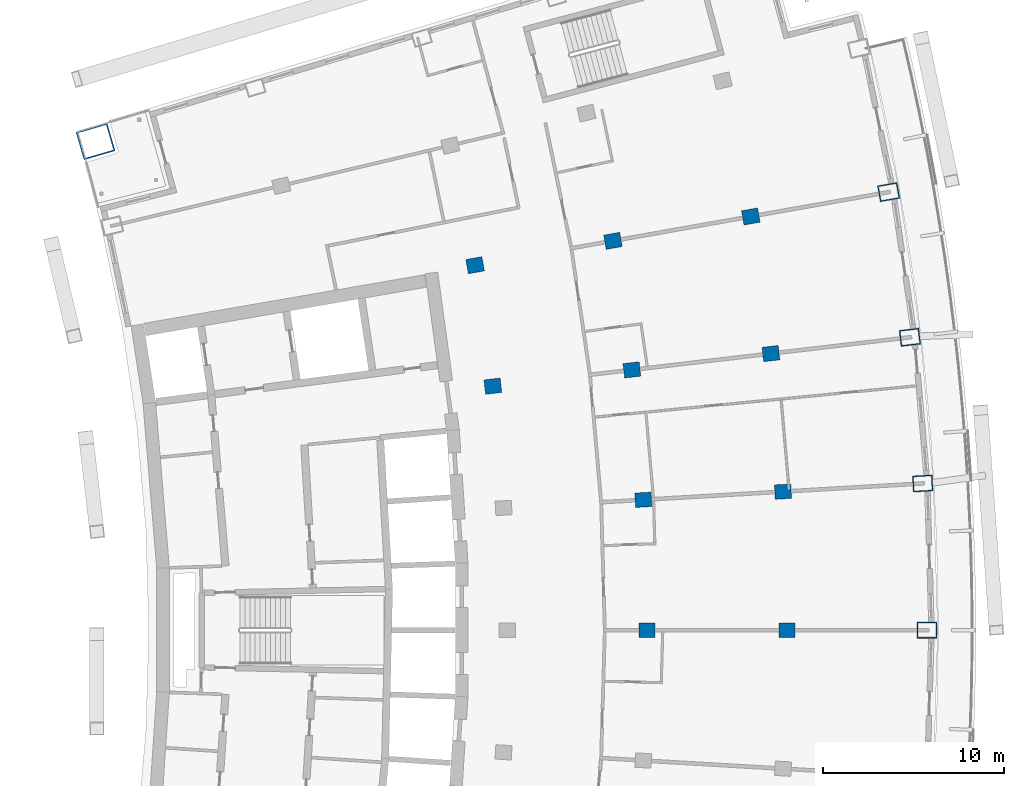
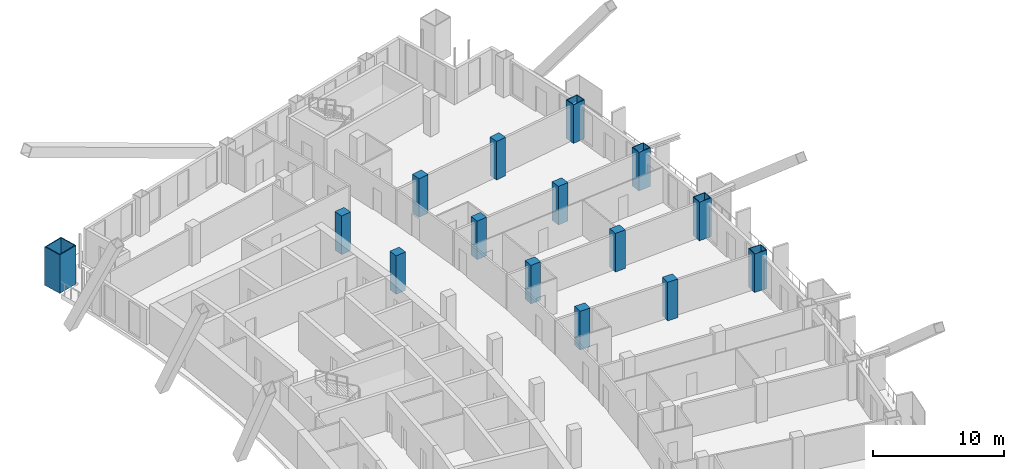
# One storey, part 6 of 19: 15 columns.
"""IFC4 building model written with IfcOpenShell, lengths in metres."""

from ifc_helpers import new_model, si_unit, direction, frame, origin, origin_2d, place, context, subcontext, project, spatial, rectangle, hollow_rectangle, extrude, material, material_profile, profile_set, type_object, element, save


model = new_model("IFC4")

# Units and contexts
model_context = context("Model", 3, precision=1e-05, world=origin(), true_north=direction((0.0, 1.0)))
body_context = subcontext(model_context, "Body", "Model", "MODEL_VIEW")
ifc_project = project(units=[si_unit("LENGTHUNIT", "METRE"), si_unit("AREAUNIT", "SQUARE_METRE"), si_unit("VOLUMEUNIT", "CUBIC_METRE"), si_unit("PLANEANGLEUNIT", "RADIAN"), si_unit("MASSUNIT", "GRAM", prefix="KILO")], contexts=[model_context])

# Site, building, storey
site_placement = place(None, origin())
site = spatial("IfcSite", under=ifc_project, at=site_placement, CompositionType="ELEMENT")
building_placement = place(site_placement, origin())
building = spatial("IfcBuilding", under=site, at=building_placement, Name="Alderwake Tower", CompositionType="ELEMENT")
storey_placement = place(building_placement, frame((0.0, 0.0, 171.199951171875)))
storey = spatial("IfcBuildingStorey", under=building, at=storey_placement, Name="L42", CompositionType="ELEMENT", Elevation=171.199951171875)

# Columns
ifc_material_1 = material(Name="Concrete C70/85", Category="concrete")
ifc_material_profile_1 = material_profile(ifc_material_1, rectangle(XDim=0.800048828125, YDim=0.89990234375, at=origin_2d()), Name="RC 900X800")
ifc_profile_set_1 = profile_set([ifc_material_profile_1], Name="Concrete C70/85")
column_type_1 = type_object("IfcColumnType", Name="Interior column Z3", PredefinedType="COLUMN", material=ifc_profile_set_1)
for number, where, z_axis, x_axis, name in (
    (1, (43.533203125, 61.0, 0.0), (0.0, 0.0, 1.0), (0.0, 1.0, 0.0), "Column R07-C3"),
    (2, (51.2666015625, 61.0, 0.0), (0.0, 0.0, 1.0), (0.0, 1.0, 0.0), "Column R07-C4"),
    (3, (43.3232421875, 68.201904296875, 0.0), (0.0, 0.0, 1.0), (-0.058299318924, 0.998299148258, 0.0), "Column R08-C3"),
    (4, (51.04345703125, 68.65283203125, 0.0), (0.0, 0.0, 1.0), (-0.058301061284, 0.998299046505, 0.0), "Column R08-C4"),
    (5, (35.0126953125, 74.4794921875, 0.0), (0.0, 0.0, 1.0), (-0.116402054316, 0.993202175668, 0.0), "Column R09-C2"),
    (6, (42.693603515625, 75.37939453125, 0.0), (0.0, 0.0, 1.0), (-0.116402054316, 0.993202175668, 0.0), "Column R09-C3"),
    (7, (50.37451171875, 76.27978515625, 0.0), (0.0, 0.0, 1.0), (-0.116402054316, 0.993202175668, 0.0), "Column R09-C4"),
    (8, (34.03125, 81.16162109375, 0.0), (0.0, 0.0, 1.0), (-0.174108800747, 0.984726421654, 0.0), "Column R10-C2"),
    (9, (41.646484375, 82.50830078125, 0.0), (0.0, 0.0, 1.0), (-0.174108800747, 0.984726421654, 0.0), "Column R10-C3"),
    (10, (49.26171875, 83.8544921875, 0.0), (0.0, 0.0, 1.0), (-0.174108800747, 0.984726421654, 0.0), "Column R10-C4"),
):
    element("IfcColumn", number, at=place(storey_placement, frame(where, z_axis=z_axis, x_axis=x_axis)), inside=storey, type_object=column_type_1, Name=name, PredefinedType="COLUMN", context=body_context, shape_type="SweptSolid", body=[
        extrude(rectangle(XDim=0.800048828125, YDim=0.89990234375, at=origin_2d()), origin(), (0.0, 0.0, 1.0), 3.60009765625),
    ])
ifc_material_2 = material(Name="Steel ASTM A572 Grade 50 concrete filled C70/85", Category="concrete")
ifc_material_profile_2 = material_profile(ifc_material_2, hollow_rectangle(XDim=1.60009765625, YDim=1.800048828125, WallThickness=0.080078125, at=origin_2d()), Name="BOX 1800X1600X80")
ifc_profile_set_2 = profile_set([ifc_material_profile_2], Name="Steel ASTM A572 Grade 50 concrete filled C70/85")
column_type_2 = type_object("IfcColumnType", Name="Mega column Z3", PredefinedType="COLUMN", material=ifc_profile_set_2)
column_placement = place(storey_placement, frame((13.06298828125, 87.99755859375, 0.0), z_axis=(0.0, 0.0, 1.0), x_axis=(-0.278612301868, 0.960403657452, 0.0)))
element("IfcColumn", 11, at=column_placement, inside=storey, type_object=column_type_2, Name="Column R12-C0", PredefinedType="COLUMN", context=body_context, shape_type="SweptSolid", body=[
    extrude(hollow_rectangle(XDim=1.60009765625, YDim=1.800048828125, WallThickness=0.080078125, at=origin_2d()), origin(), (0.0, 0.0, 1.0), 3.60009765625),
])
ifc_material_3 = material(Name="Steel ASTM A572 Grade 50 concrete filled C70/85", Category="concrete")
ifc_material_profile_3 = material_profile(ifc_material_3, hollow_rectangle(XDim=0.89990234375, YDim=1.10009765625, WallThickness=0.06005859375, at=origin_2d()), Name="BOX 1100X900X60")
ifc_profile_set_3 = profile_set([ifc_material_profile_3], Name="Steel ASTM A572 Grade 50 concrete filled C70/85")
column_type_3 = type_object("IfcColumnType", Name="Perimeter column Z3", PredefinedType="COLUMN", material=ifc_profile_set_3)
for number, where, z_axis, x_axis, name in (
    (12, (59.0, 61.0, 0.0), (0.0, 0.0, 1.0), (0.0, 1.0, 0.0), "Column R07-C5"),
    (13, (58.763671875, 69.103759765625, 0.0), (0.0, 0.0, 1.0), (-0.058299318924, 0.998299148258, 0.0), "Column R08-C5"),
    (14, (58.05517578125, 77.179931640625, 0.0), (0.0, 0.0, 1.0), (-0.116402054316, 0.993202175668, 0.0), "Column R09-C5"),
    (15, (56.876953125, 85.200927734375, 0.0), (0.0, 0.0, 1.0), (-0.174107082075, 0.984726725529, 0.0), "Column R10-C5"),
):
    element("IfcColumn", number, at=place(storey_placement, frame(where, z_axis=z_axis, x_axis=x_axis)), inside=storey, type_object=column_type_3, Name=name, PredefinedType="COLUMN", context=body_context, shape_type="SweptSolid", body=[
        extrude(hollow_rectangle(XDim=0.89990234375, YDim=1.10009765625, WallThickness=0.06005859375, at=origin_2d()), origin(), (0.0, 0.0, 1.0), 3.60009765625),
    ])

save(model, "model.ifc")
